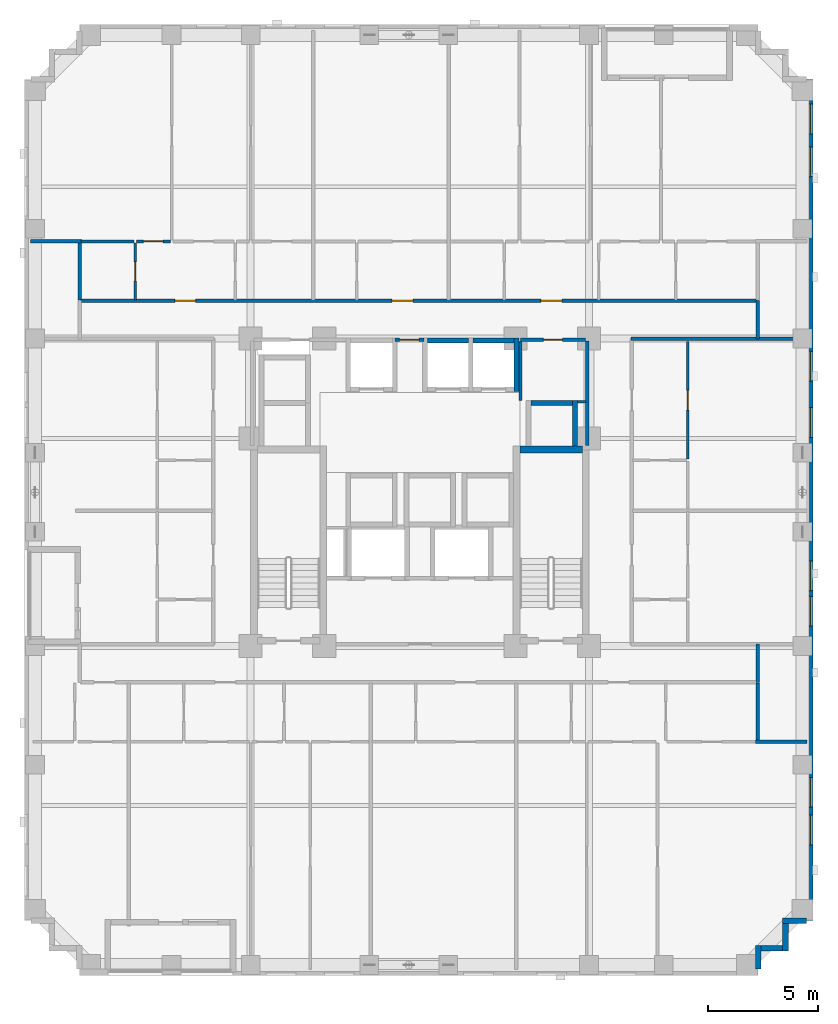
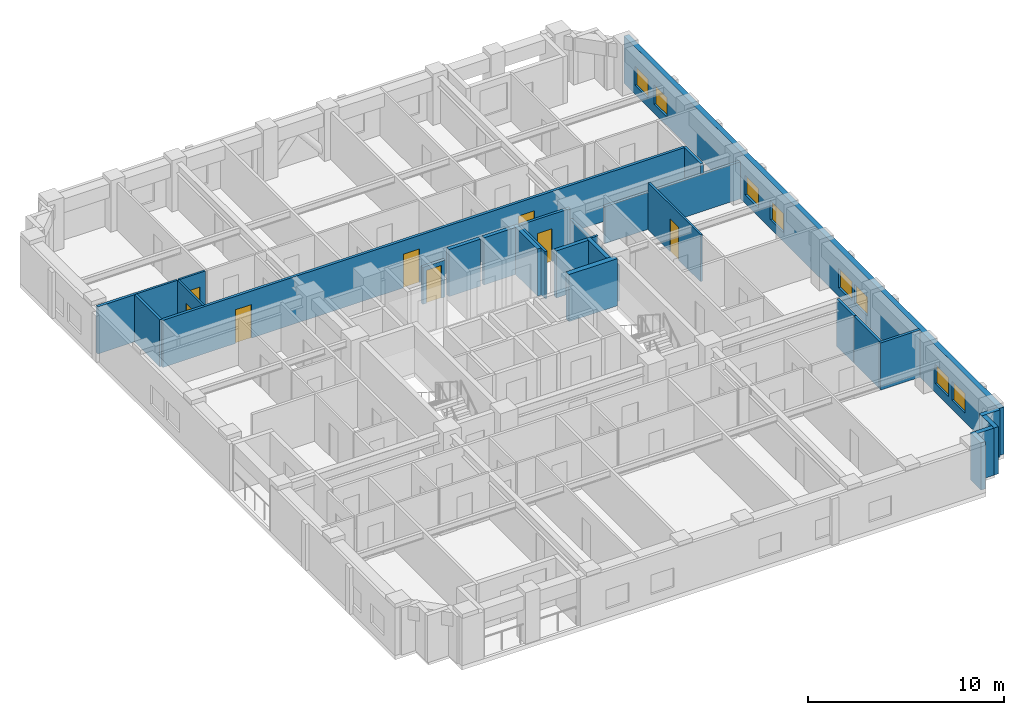
# One storey, part 6 of 12: 28 walls, 8 doors, 8 windows, 16 openings.
"""IFC4 building model written with IfcOpenShell, lengths in metres."""

from ifc_helpers import new_model, si_unit, derived_unit, direction, frame, frame_2d, origin, place, context, subcontext, project, spatial, rectangle, extrude, material, layer, layer_set, type_object, element, fill, save


model = new_model("IFC4")

# Units and contexts
model_context = context("Model", 3, precision=1e-05, world=origin(), true_north=direction((0.0, 1.0)))
body_context = subcontext(model_context, "Body", "Model", "MODEL_VIEW")
ifc_project = project(units=[si_unit("LENGTHUNIT", "METRE"), si_unit("AREAUNIT", "SQUARE_METRE"), si_unit("VOLUMEUNIT", "CUBIC_METRE"), si_unit("PLANEANGLEUNIT", "RADIAN"), si_unit("MASSUNIT", "GRAM", prefix="KILO"), derived_unit("THERMALTRANSMITTANCEUNIT", [(si_unit("MASSUNIT", "GRAM", prefix="KILO"), 1), (si_unit("TIMEUNIT", "SECOND"), -3), (si_unit("THERMODYNAMICTEMPERATUREUNIT", "KELVIN"), -1)])], contexts=[model_context])

# Site, building, storey
site_placement = place(None, origin())
site = spatial("IfcSite", under=ifc_project, at=site_placement, CompositionType="ELEMENT")
building_placement = place(site_placement, origin())
building = spatial("IfcBuilding", under=site, at=building_placement, Name="Korrvale Station Residences", CompositionType="ELEMENT")
storey_placement = place(building_placement, frame((0.0, 0.0, 87.89990234375)))
storey = spatial("IfcBuildingStorey", under=building, at=storey_placement, Name="L24", CompositionType="ELEMENT", Elevation=87.89990234375)

# Walls
ifc_material_1 = material(Name="Concrete C60/75", Category="concrete")
ifc_layer_1 = layer(ifc_material_1, 0.300048828125, Name="Concrete C60/75")
ifc_layer_set_1 = layer_set([ifc_layer_1], Name="Concrete C60/75")
wall_type_1 = type_object("IfcWallType", Name="WAL-CORE-300-C60", PredefinedType="SHEAR", material=ifc_layer_set_1)
wall_1_placement = place(storey_placement, frame((30.050048828125, 23.949951171875, 0.0), z_axis=(0.0, 0.0, 1.0), x_axis=(1.0, 0.0, 0.0)))
element("IfcWall", 1, at=wall_1_placement, inside=storey, type_object=wall_type_1, Name="L24 ST-2 Core Shear Wall North", PredefinedType="SHEAR", context=body_context, shape_type="SweptSolid", body=[
    extrude(rectangle(XDim=2.849853515625, YDim=0.300048828125, at=frame_2d((1.4248046875, 0.0))), origin(), (0.0, 0.0, 1.0), 2.940185546875),
])
ifc_material_2 = material(Name="Precast concrete C45/55", Category="concrete")
ifc_layer_2 = layer(ifc_material_2, 0.260009765625, Name="Precast concrete C45/55")
ifc_layer_set_2 = layer_set([ifc_layer_2], Name="Precast concrete C45/55")
wall_type_2 = type_object("IfcWallType", Name="WAL-EXT-LOG260", PredefinedType="SOLIDWALL", material=ifc_layer_set_2)
wall_2_placement = place(storey_placement, frame((43.097900390625, 2.5, 0.0), z_axis=(0.0, 0.0, 1.0), x_axis=(-1.0, 0.0, 0.0)))
element("IfcWall", 2, at=wall_2_placement, inside=storey, type_object=wall_type_2, Name="L24 Serrated Corner Precast Step SE-1", PredefinedType="SOLIDWALL", context=body_context, shape_type="SweptSolid", body=[
    extrude(rectangle(XDim=1.077880859375, YDim=0.260009765625, at=frame_2d((0.5390625, 0.0))), origin(), (0.0, 0.0, 1.0), 2.940185546875),
])
wall_3_placement = place(storey_placement, frame((42.14990234375, 2.367919921875, 0.0), z_axis=(0.0, 0.0, 1.0), x_axis=(0.0, -1.0, 0.0)))
element("IfcWall", 3, at=wall_3_placement, inside=storey, type_object=wall_type_2, Name="L24 Serrated Corner Precast Step SE-2", PredefinedType="SOLIDWALL", context=body_context, shape_type="SweptSolid", body=[
    extrude(rectangle(XDim=1.247802734375, YDim=0.260009765625, at=frame_2d((0.6240234375, 0.0))), origin(), (0.0, 0.0, 1.0), 2.940185546875),
])
wall_4_placement = place(storey_placement, frame((42.01806640625, 1.25, 0.0), z_axis=(0.0, 0.0, 1.0), x_axis=(-1.0, 0.0, 0.0)))
element("IfcWall", 4, at=wall_4_placement, inside=storey, type_object=wall_type_2, Name="L24 Serrated Corner Precast Step SE-3", PredefinedType="SOLIDWALL", context=body_context, shape_type="SweptSolid", body=[
    extrude(rectangle(XDim=0.986083984375, YDim=0.260009765625, at=frame_2d((0.4931640625, 0.0))), origin(), (0.0, 0.0, 1.0), 2.940185546875),
])
wall_5_placement = place(storey_placement, frame((40.89990234375, 1.3798828125, 0.0), z_axis=(0.0, 0.0, 1.0), x_axis=(0.0, -1.0, 0.0)))
element("IfcWall", 5, at=wall_5_placement, inside=storey, type_object=wall_type_2, Name="L24 Serrated Corner Precast Step SE-4", PredefinedType="SOLIDWALL", context=body_context, shape_type="SweptSolid", body=[
    extrude(rectangle(XDim=1.077880859375, YDim=0.260009765625, at=frame_2d((0.5390625, 0.0))), origin(), (0.0, 0.0, 1.0), 2.940185546875),
])

# Wall, openings, windows
ifc_layer_3 = layer(ifc_material_2, 0.300048828125, Name="Precast concrete C45/55")
ifc_layer_set_3 = layer_set([ifc_layer_3], Name="Precast concrete C45/55")
wall_type_3 = type_object("IfcWallType", Name="WAL-EXT-PC300", PredefinedType="SOLIDWALL", material=ifc_layer_set_3)
wall_6_placement = place(storey_placement, frame((43.25, 40.800048828125, 0.0), z_axis=(0.0, 0.0, 1.0), x_axis=(0.0, -1.0, 0.0)))
wall_6 = element("IfcWall", 6, at=wall_6_placement, inside=storey, type_object=wall_type_3, Name="L24 East Exterior Precast Wall 1", PredefinedType="SOLIDWALL", context=body_context, shape_type="SweptSolid", body=[
    extrude(rectangle(XDim=38.300048828125, YDim=0.300048828125, at=frame_2d((19.14990234375, 0.0))), origin(), (0.0, 0.0, 1.0), 2.940185546875),
])
opening_1_placement = place(wall_6_placement, frame((33.4951171875, 0.0, 0.550048828125)))
opening_1 = element("IfcOpeningElement", 7, at=opening_1_placement, cuts=wall_6, Name="Opening W-10", PredefinedType="OPENING", context=body_context, shape_type="SweptSolid", body=[
    extrude(rectangle(XDim=1.35009765625, YDim=1.199951171875, at=frame_2d((0.675048828125, 0.60009765625))), frame((0.0, 0.16015625, 0.0), z_axis=(0.0, -1.0, 0.0), x_axis=(1.0, 0.0, 0.0)), (0.0, 0.0, 1.0), 0.320068359375),
])
opening_2_placement = place(wall_6_placement, frame((31.784912109375, 0.0, 0.550048828125)))
opening_2 = element("IfcOpeningElement", 8, at=opening_2_placement, cuts=wall_6, Name="Opening W-10", PredefinedType="OPENING", context=body_context, shape_type="SweptSolid", body=[
    extrude(rectangle(XDim=1.35009765625, YDim=1.199951171875, at=frame_2d((0.675048828125, 0.60009765625))), frame((0.0, 0.16015625, 0.0), z_axis=(0.0, -1.0, 0.0), x_axis=(1.0, 0.0, 0.0)), (0.0, 0.0, 1.0), 0.320068359375),
])
opening_3_placement = place(wall_6_placement, frame((3.080078125, 0.0, 0.550048828125)))
opening_3 = element("IfcOpeningElement", 9, at=opening_3_placement, cuts=wall_6, Name="Opening W-10", PredefinedType="OPENING", context=body_context, shape_type="SweptSolid", body=[
    extrude(rectangle(XDim=1.35009765625, YDim=1.199951171875, at=frame_2d((0.675048828125, 0.60009765625))), frame((0.0, 0.16015625, 0.0), z_axis=(0.0, -1.0, 0.0), x_axis=(1.0, 0.0, 0.0)), (0.0, 0.0, 1.0), 0.320068359375),
])
opening_4_placement = place(wall_6_placement, frame((1.135009765625, 0.0, 0.550048828125)))
opening_4 = element("IfcOpeningElement", 10, at=opening_4_placement, cuts=wall_6, Name="Opening W-10", PredefinedType="OPENING", context=body_context, shape_type="SweptSolid", body=[
    extrude(rectangle(XDim=1.35009765625, YDim=1.199951171875, at=frame_2d((0.675048828125, 0.60009765625))), frame((0.0, 0.16015625, 0.0), z_axis=(0.0, -1.0, 0.0), x_axis=(1.0, 0.0, 0.0)), (0.0, 0.0, 1.0), 0.320068359375),
])
opening_5_placement = place(wall_6_placement, frame((21.929931640625, 0.0, 0.550048828125)))
opening_5 = element("IfcOpeningElement", 11, at=opening_5_placement, cuts=wall_6, Name="Opening W-10", PredefinedType="OPENING", context=body_context, shape_type="SweptSolid", body=[
    extrude(rectangle(XDim=1.35009765625, YDim=1.199951171875, at=frame_2d((0.675048828125, 0.60009765625))), frame((0.0, 0.16015625, 0.0), z_axis=(0.0, -1.0, 0.0), x_axis=(1.0, 0.0, 0.0)), (0.0, 0.0, 1.0), 0.320068359375),
])
opening_6_placement = place(wall_6_placement, frame((23.5400390625, 0.0, 0.550048828125)))
opening_6 = element("IfcOpeningElement", 12, at=opening_6_placement, cuts=wall_6, Name="Opening W-10", PredefinedType="OPENING", context=body_context, shape_type="SweptSolid", body=[
    extrude(rectangle(XDim=1.35009765625, YDim=1.199951171875, at=frame_2d((0.675048828125, 0.60009765625))), frame((0.0, 0.16015625, 0.0), z_axis=(0.0, -1.0, 0.0), x_axis=(1.0, 0.0, 0.0)), (0.0, 0.0, 1.0), 0.320068359375),
])
opening_7_placement = place(wall_6_placement, frame((14.949951171875, 0.0, 0.550048828125)))
opening_7 = element("IfcOpeningElement", 13, at=opening_7_placement, cuts=wall_6, Name="Opening W-10", PredefinedType="OPENING", context=body_context, shape_type="SweptSolid", body=[
    extrude(rectangle(XDim=1.35009765625, YDim=1.199951171875, at=frame_2d((0.675048828125, 0.60009765625))), frame((0.0, 0.16015625, 0.0), z_axis=(0.0, -1.0, 0.0), x_axis=(1.0, 0.0, 0.0)), (0.0, 0.0, 1.0), 0.320068359375),
])
opening_8_placement = place(wall_6_placement, frame((12.385009765625, 0.0, 0.550048828125)))
opening_8 = element("IfcOpeningElement", 14, at=opening_8_placement, cuts=wall_6, Name="Opening W-10", PredefinedType="OPENING", context=body_context, shape_type="SweptSolid", body=[
    extrude(rectangle(XDim=1.35009765625, YDim=1.199951171875, at=frame_2d((0.675048828125, 0.60009765625))), frame((0.0, 0.16015625, 0.0), z_axis=(0.0, -1.0, 0.0), x_axis=(1.0, 0.0, 0.0)), (0.0, 0.0, 1.0), 0.320068359375),
])
ifc_material_3 = material(Name="Thermally broken aluminium frame with triple low-e glazing", Category="aluminium")
window_type = type_object("IfcWindowType", Name="WIN-W10", PartitioningType="SINGLE_PANEL", PredefinedType="WINDOW", material=ifc_material_3)
window_1_placement = place(opening_1_placement, origin())
window_1 = element("IfcWindow", 15, at=window_1_placement, inside=storey, type_object=window_type, Name="L24 Punched Window 09", OverallHeight=1.199951171875, OverallWidth=1.35009765625, PartitioningType="SINGLE_PANEL", PredefinedType="WINDOW", context=body_context, shape_type="SweptSolid", body=[
    extrude(rectangle(XDim=1.35009765625, YDim=1.199951171875, at=frame_2d((0.675048828125, 0.60009765625))), frame((0.0, 0.030029296875, 0.0), z_axis=(0.0, -1.0, 0.0), x_axis=(1.0, 0.0, 0.0)), (0.0, 0.0, 1.0), 0.06005859375),
])
fill(opening_1, window_1)
window_2_placement = place(opening_2_placement, origin())
window_2 = element("IfcWindow", 16, at=window_2_placement, inside=storey, type_object=window_type, Name="L24 Punched Window 10", OverallHeight=1.199951171875, OverallWidth=1.35009765625, PartitioningType="SINGLE_PANEL", PredefinedType="WINDOW", context=body_context, shape_type="SweptSolid", body=[
    extrude(rectangle(XDim=1.35009765625, YDim=1.199951171875, at=frame_2d((0.675048828125, 0.60009765625))), frame((0.0, 0.030029296875, 0.0), z_axis=(0.0, -1.0, 0.0), x_axis=(1.0, 0.0, 0.0)), (0.0, 0.0, 1.0), 0.06005859375),
])
fill(opening_2, window_2)
window_3_placement = place(opening_3_placement, origin())
window_3 = element("IfcWindow", 17, at=window_3_placement, inside=storey, type_object=window_type, Name="L24 Punched Window 19", OverallHeight=1.199951171875, OverallWidth=1.35009765625, PartitioningType="SINGLE_PANEL", PredefinedType="WINDOW", context=body_context, shape_type="SweptSolid", body=[
    extrude(rectangle(XDim=1.35009765625, YDim=1.199951171875, at=frame_2d((0.675048828125, 0.60009765625))), frame((0.0, 0.030029296875, 0.0), z_axis=(0.0, -1.0, 0.0), x_axis=(1.0, 0.0, 0.0)), (0.0, 0.0, 1.0), 0.06005859375),
])
fill(opening_3, window_3)
window_4_placement = place(opening_4_placement, origin())
window_4 = element("IfcWindow", 18, at=window_4_placement, inside=storey, type_object=window_type, Name="L24 Punched Window 20", OverallHeight=1.199951171875, OverallWidth=1.35009765625, PartitioningType="SINGLE_PANEL", PredefinedType="WINDOW", context=body_context, shape_type="SweptSolid", body=[
    extrude(rectangle(XDim=1.35009765625, YDim=1.199951171875, at=frame_2d((0.675048828125, 0.60009765625))), frame((0.0, 0.030029296875, 0.0), z_axis=(0.0, -1.0, 0.0), x_axis=(1.0, 0.0, 0.0)), (0.0, 0.0, 1.0), 0.06005859375),
])
fill(opening_4, window_4)
window_5_placement = place(opening_5_placement, origin())
window_5 = element("IfcWindow", 19, at=window_5_placement, inside=storey, type_object=window_type, Name="L24 Punched Window 24", OverallHeight=1.199951171875, OverallWidth=1.35009765625, PartitioningType="SINGLE_PANEL", PredefinedType="WINDOW", context=body_context, shape_type="SweptSolid", body=[
    extrude(rectangle(XDim=1.35009765625, YDim=1.199951171875, at=frame_2d((0.675048828125, 0.60009765625))), frame((0.0, 0.030029296875, 0.0), z_axis=(0.0, -1.0, 0.0), x_axis=(1.0, 0.0, 0.0)), (0.0, 0.0, 1.0), 0.06005859375),
])
fill(opening_5, window_5)
window_6_placement = place(opening_6_placement, origin())
window_6 = element("IfcWindow", 20, at=window_6_placement, inside=storey, type_object=window_type, Name="L24 Punched Window 25", OverallHeight=1.199951171875, OverallWidth=1.35009765625, PartitioningType="SINGLE_PANEL", PredefinedType="WINDOW", context=body_context, shape_type="SweptSolid", body=[
    extrude(rectangle(XDim=1.35009765625, YDim=1.199951171875, at=frame_2d((0.675048828125, 0.60009765625))), frame((0.0, 0.030029296875, 0.0), z_axis=(0.0, -1.0, 0.0), x_axis=(1.0, 0.0, 0.0)), (0.0, 0.0, 1.0), 0.06005859375),
])
fill(opening_6, window_6)
window_7_placement = place(opening_7_placement, origin())
window_7 = element("IfcWindow", 21, at=window_7_placement, inside=storey, type_object=window_type, Name="L24 Punched Window 26", OverallHeight=1.199951171875, OverallWidth=1.35009765625, PartitioningType="SINGLE_PANEL", PredefinedType="WINDOW", context=body_context, shape_type="SweptSolid", body=[
    extrude(rectangle(XDim=1.35009765625, YDim=1.199951171875, at=frame_2d((0.675048828125, 0.60009765625))), frame((0.0, 0.030029296875, 0.0), z_axis=(0.0, -1.0, 0.0), x_axis=(1.0, 0.0, 0.0)), (0.0, 0.0, 1.0), 0.06005859375),
])
fill(opening_7, window_7)
window_8_placement = place(opening_8_placement, origin())
window_8 = element("IfcWindow", 22, at=window_8_placement, inside=storey, type_object=window_type, Name="L24 Punched Window 27", OverallHeight=1.199951171875, OverallWidth=1.35009765625, PartitioningType="SINGLE_PANEL", PredefinedType="WINDOW", context=body_context, shape_type="SweptSolid", body=[
    extrude(rectangle(XDim=1.35009765625, YDim=1.199951171875, at=frame_2d((0.675048828125, 0.60009765625))), frame((0.0, 0.030029296875, 0.0), z_axis=(0.0, -1.0, 0.0), x_axis=(1.0, 0.0, 0.0)), (0.0, 0.0, 1.0), 0.06005859375),
])
fill(opening_8, window_8)

# Walls
ifc_material_4 = material(Name="Acoustic steel-stud gypsum board partition", Category="steel")
ifc_layer_4 = layer(ifc_material_4, 0.1201171875, Name="Acoustic steel-stud gypsum board partition")
ifc_layer_set_4 = layer_set([ifc_layer_4], Name="Acoustic steel-stud gypsum board partition")
wall_type_4 = type_object("IfcWallType", Name="WAL-PART-125", PredefinedType="PARTITIONING", material=ifc_layer_set_4)
wall_7_placement = place(storey_placement, frame((30.080078125, 26.179931640625, 0.0), z_axis=(0.0, 0.0, 1.0), x_axis=(0.0, 1.0, 0.0)))
element("IfcWall", 23, at=wall_7_placement, inside=storey, type_object=wall_type_4, Name="L24 Core Partition CW-CS-W", PredefinedType="PARTITIONING", context=body_context, shape_type="SweptSolid", body=[
    extrude(rectangle(XDim=2.68017578125, YDim=0.1201171875, at=frame_2d((1.340087890625, 0.0))), origin(), (0.0, 0.0, 1.0), 2.940185546875),
])
wall_8_placement = place(storey_placement, frame((32.679931640625, 26.1201171875, 0.0), z_axis=(0.0, 0.0, 1.0), x_axis=(1.0, 0.0, 0.0)))
element("IfcWall", 24, at=wall_8_placement, inside=storey, type_object=wall_type_4, Name="L24 Core Partition CW-CS-S", PredefinedType="PARTITIONING", context=body_context, shape_type="SweptSolid", body=[
    extrude(rectangle(XDim=0.380126953125, YDim=0.1201171875, at=frame_2d((0.18994140625, 0.0))), origin(), (0.0, 0.0, 1.0), 2.940185546875),
])

# Wall, opening, door
wall_9_placement = place(storey_placement, frame((12.5400390625, 30.760009765625, 0.0), z_axis=(0.0, 0.0, 1.0), x_axis=(0.0, 1.0, 0.0)))
wall_9 = element("IfcWall", 25, at=wall_9_placement, inside=storey, type_object=wall_type_4, Name="L24 Suite Partition U05-V01", PredefinedType="PARTITIONING", context=body_context, shape_type="SweptSolid", body=[
    extrude(rectangle(XDim=2.60009765625, YDim=0.1201171875, at=frame_2d((1.300048828125, 0.0))), origin(), (0.0, 0.0, 1.0), 2.940185546875),
])
opening_9_placement = place(wall_9_placement, frame((0.8701171875, 0.0, 0.0)))
opening_9 = element("IfcOpeningElement", 26, at=opening_9_placement, cuts=wall_9, Name="Opening DB-860", PredefinedType="OPENING", context=body_context, shape_type="SweptSolid", body=[
    extrude(rectangle(XDim=0.860107421875, YDim=2.050048828125, at=frame_2d((0.43017578125, 1.02490234375))), frame((0.0, 0.070068359375, 0.0), z_axis=(0.0, -1.0, 0.0), x_axis=(1.0, 0.0, 0.0)), (0.0, 0.0, 1.0), 0.14013671875),
])
ifc_material_5 = material(Name="Moisture-resistant solid-core bathroom door", Category="timber")
door_type_1 = type_object("IfcDoorType", Name="DR-BATH-860", OperationType="NOTDEFINED", PredefinedType="DOOR", material=ifc_material_5)
door_1_placement = place(opening_9_placement, origin())
door_1 = element("IfcDoor", 27, at=door_1_placement, inside=storey, type_object=door_type_1, Name="L24 Apartment 2BR L24-U05 Bathroom Door", OperationType="SINGLE_SWING_LEFT", OverallHeight=2.050048828125, OverallWidth=0.860107421875, PredefinedType="DOOR", context=body_context, shape_type="SweptSolid", body=[
    extrude(rectangle(XDim=0.860107421875, YDim=2.050048828125, at=frame_2d((0.43017578125, 1.02490234375))), frame((0.0, 0.02490234375, 0.0), z_axis=(0.0, -1.0, 0.0), x_axis=(1.0, 0.0, 0.0)), (0.0, 0.0, 1.0), 0.050048828125),
])
fill(opening_9, door_1)

# Wall
wall_10_placement = place(storey_placement, frame((10.080078125, 33.419921875, 0.0), z_axis=(0.0, 0.0, 1.0), x_axis=(1.0, 0.0, 0.0)))
element("IfcWall", 28, at=wall_10_placement, inside=storey, type_object=wall_type_4, Name="L24 Suite Partition U05-H03", PredefinedType="PARTITIONING", context=body_context, shape_type="SweptSolid", body=[
    extrude(rectangle(XDim=2.39990234375, YDim=0.1201171875, at=frame_2d((1.199951171875, 0.0))), origin(), (0.0, 0.0, 1.0), 2.940185546875),
])

# Wall, opening, door
wall_11_placement = place(storey_placement, frame((12.60009765625, 33.419921875, 0.0), z_axis=(0.0, 0.0, 1.0), x_axis=(1.0, 0.0, 0.0)))
wall_11 = element("IfcWall", 29, at=wall_11_placement, inside=storey, type_object=wall_type_4, Name="L24 Suite Partition U05-H13", PredefinedType="PARTITIONING", context=body_context, shape_type="SweptSolid", body=[
    extrude(rectangle(XDim=1.539794921875, YDim=0.1201171875, at=frame_2d((0.77001953125, 0.0))), origin(), (0.0, 0.0, 1.0), 2.940185546875),
])
opening_10_placement = place(wall_11_placement, frame((0.320068359375, 0.0, 0.0)))
opening_10 = element("IfcOpeningElement", 30, at=opening_10_placement, cuts=wall_11, Name="Opening DI-900", PredefinedType="OPENING", context=body_context, shape_type="SweptSolid", body=[
    extrude(rectangle(XDim=0.89990234375, YDim=2.050048828125, at=frame_2d((0.449951171875, 1.02490234375))), frame((0.0, 0.070068359375, 0.0), z_axis=(0.0, -1.0, 0.0), x_axis=(1.0, 0.0, 0.0)), (0.0, 0.0, 1.0), 0.14013671875),
])
ifc_material_6 = material(Name="Painted solid-core timber interior room door", Category="wood")
door_type_2 = type_object("IfcDoorType", Name="DR-INT-900", OperationType="NOTDEFINED", PredefinedType="DOOR", material=ifc_material_6)
door_2_placement = place(opening_10_placement, origin())
door_2 = element("IfcDoor", 31, at=door_2_placement, inside=storey, type_object=door_type_2, Name="L24 Apartment 2BR L24-U05 Kitchen Door", OperationType="SINGLE_SWING_LEFT", OverallHeight=2.050048828125, OverallWidth=0.89990234375, PredefinedType="DOOR", context=body_context, shape_type="SweptSolid", body=[
    extrude(rectangle(XDim=0.89990234375, YDim=2.050048828125, at=frame_2d((0.449951171875, 1.02490234375))), frame((0.0, 0.02490234375, 0.0), z_axis=(0.0, -1.0, 0.0), x_axis=(1.0, 0.0, 0.0)), (0.0, 0.0, 1.0), 0.050048828125),
])
fill(opening_10, door_2)

wall_12_placement = place(storey_placement, frame((37.699951171875, 23.527099609375, 0.0), z_axis=(0.0, 0.0, 1.0), x_axis=(0.0, 1.0, 0.0)))
wall_12 = element("IfcWall", 32, at=wall_12_placement, inside=storey, type_object=wall_type_4, Name="L24 Suite Partition U11-V12", PredefinedType="PARTITIONING", context=body_context, shape_type="SweptSolid", body=[
    extrude(rectangle(XDim=5.3330078125, YDim=0.1201171875, at=frame_2d((2.66650390625, 0.0))), origin(), (0.0, 0.0, 1.0), 2.940185546875),
])
opening_11_placement = place(wall_12_placement, frame((2.216064453125, 0.0, 0.0)))
opening_11 = element("IfcOpeningElement", 33, at=opening_11_placement, cuts=wall_12, Name="Opening DI-900", PredefinedType="OPENING", context=body_context, shape_type="SweptSolid", body=[
    extrude(rectangle(XDim=0.89990234375, YDim=2.050048828125, at=frame_2d((0.449951171875, 1.02490234375))), frame((0.0, 0.070068359375, 0.0), z_axis=(0.0, -1.0, 0.0), x_axis=(1.0, 0.0, 0.0)), (0.0, 0.0, 1.0), 0.14013671875),
])
door_3_placement = place(opening_11_placement, origin())
door_3 = element("IfcDoor", 34, at=door_3_placement, inside=storey, type_object=door_type_2, Name="L24 Apartment 1BR L24-U11 Kitchen Door", OperationType="SINGLE_SWING_RIGHT", OverallHeight=2.050048828125, OverallWidth=0.89990234375, PredefinedType="DOOR", context=body_context, shape_type="SweptSolid", body=[
    extrude(rectangle(XDim=0.89990234375, YDim=2.050048828125, at=frame_2d((0.449951171875, 1.02490234375))), frame((0.0, 0.02490234375, 0.0), z_axis=(0.0, -1.0, 0.0), x_axis=(1.0, 0.0, 0.0)), (0.0, 0.0, 1.0), 0.050048828125),
])
fill(opening_11, door_3)

# Wall
ifc_material_7 = material(Name="Fire-rated twin-stud gypsum and mineral wool shaftwall assembly", Category="gypsum")
ifc_layer_5 = layer(ifc_material_7, 0.159912109375, Name="Fire-rated twin-stud gypsum and mineral wool shaftwall assembly")
ifc_layer_set_5 = layer_set([ifc_layer_5], Name="Fire-rated twin-stud gypsum and mineral wool shaftwall assembly")
wall_type_5 = type_object("IfcWallType", Name="WAL-PART-200", PredefinedType="PARTITIONING", material=ifc_layer_set_5)
wall_13_placement = place(storey_placement, frame((33.1201171875, 24.1201171875, 0.0), z_axis=(0.0, 0.0, 1.0), x_axis=(0.0, 1.0, 0.0)))
element("IfcWall", 35, at=wall_13_placement, inside=storey, type_object=wall_type_5, Name="L24 Core Partition CW-E-N", PredefinedType="PARTITIONING", context=body_context, shape_type="SweptSolid", body=[
    extrude(rectangle(XDim=4.759765625, YDim=0.159912109375, at=frame_2d((2.3798828125, 0.0))), origin(), (0.0, 0.0, 1.0), 2.275146484375),
])

# Wall, opening, door
wall_14_placement = place(storey_placement, frame((24.360107421875, 28.949951171875, 0.0), z_axis=(0.0, 0.0, 1.0), x_axis=(1.0, 0.0, 0.0)))
wall_14 = element("IfcWall", 36, at=wall_14_placement, inside=storey, type_object=wall_type_5, Name="L24 Core Partition CW-LLOB-N", PredefinedType="PARTITIONING", context=body_context, shape_type="SweptSolid", body=[
    extrude(rectangle(XDim=1.31982421875, YDim=0.159912109375, at=frame_2d((0.659912109375, 0.0))), origin(), (0.0, 0.0, 1.0), 2.30908203125),
])
opening_12_placement = place(wall_14_placement, frame((0.2099609375, 0.0, 0.0)))
opening_12 = element("IfcOpeningElement", 37, at=opening_12_placement, cuts=wall_14, Name="Opening DI-900", PredefinedType="OPENING", context=body_context, shape_type="SweptSolid", body=[
    extrude(rectangle(XDim=0.89990234375, YDim=2.050048828125, at=frame_2d((0.449951171875, 1.02490234375))), frame((0.0, 0.08984375, 0.0), z_axis=(0.0, -1.0, 0.0), x_axis=(1.0, 0.0, 0.0)), (0.0, 0.0, 1.0), 0.179931640625),
])
door_4_placement = place(opening_12_placement, origin())
door_4 = element("IfcDoor", 38, at=door_4_placement, inside=storey, type_object=door_type_2, Name="L24 Central Hallway North Passage Door", OperationType="SINGLE_SWING_LEFT", OverallHeight=2.050048828125, OverallWidth=0.89990234375, PredefinedType="DOOR", context=body_context, shape_type="SweptSolid", body=[
    extrude(rectangle(XDim=0.89990234375, YDim=2.050048828125, at=frame_2d((0.449951171875, 1.02490234375))), frame((0.0, 0.02490234375, 0.0), z_axis=(0.0, -1.0, 0.0), x_axis=(1.0, 0.0, 0.0)), (0.0, 0.0, 1.0), 0.050048828125),
])
fill(opening_12, door_4)

wall_15_placement = place(storey_placement, frame((30.080078125, 28.949951171875, 0.0), z_axis=(0.0, 0.0, 1.0), x_axis=(1.0, 0.0, 0.0)))
wall_15 = element("IfcWall", 39, at=wall_15_placement, inside=storey, type_object=wall_type_5, Name="L24 Core Partition CW-CS-N", PredefinedType="PARTITIONING", context=body_context, shape_type="SweptSolid", body=[
    extrude(rectangle(XDim=2.9599609375, YDim=0.159912109375, at=frame_2d((1.47998046875, 0.0))), origin(), (0.0, 0.0, 1.0), 2.940185546875),
])
opening_13_placement = place(wall_15_placement, frame((1.044921875, 0.0, 0.0)))
opening_13 = element("IfcOpeningElement", 40, at=opening_13_placement, cuts=wall_15, Name="Opening DB-860", PredefinedType="OPENING", context=body_context, shape_type="SweptSolid", body=[
    extrude(rectangle(XDim=0.860107421875, YDim=2.050048828125, at=frame_2d((0.43017578125, 1.02490234375))), frame((0.0, 0.08984375, 0.0), z_axis=(0.0, -1.0, 0.0), x_axis=(1.0, 0.0, 0.0)), (0.0, 0.0, 1.0), 0.179931640625),
])
door_5_placement = place(opening_13_placement, origin())
door_5 = element("IfcDoor", 41, at=door_5_placement, inside=storey, type_object=door_type_1, Name="L24 Parcel Room Door", OperationType="SINGLE_SWING_LEFT", OverallHeight=2.050048828125, OverallWidth=0.860107421875, PredefinedType="DOOR", context=body_context, shape_type="SweptSolid", body=[
    extrude(rectangle(XDim=0.860107421875, YDim=2.050048828125, at=frame_2d((0.43017578125, 1.02490234375))), frame((0.0, 0.02490234375, 0.0), z_axis=(0.0, -1.0, 0.0), x_axis=(1.0, 0.0, 0.0)), (0.0, 0.0, 1.0), 0.050048828125),
])
fill(opening_13, door_5)

# Walls
for number, where, z_axis, x_axis, name in (
    (42, (40.8798828125, 13.35009765625, 0.0), (0.0, 0.0, 1.0), (0.0, 1.0, 0.0), "L24 Corridor South East Cap"),
    (43, (40.8798828125, 28.97998046875, 0.0), (0.0, 0.0, 1.0), (0.0, 1.0, 0.0), "L24 Corridor North East Cap"),
):
    element("IfcWall", number, at=place(storey_placement, frame(where, z_axis=z_axis, x_axis=x_axis)), inside=storey, type_object=wall_type_5, Name=name, PredefinedType="PARTITIONING", context=body_context, shape_type="SweptSolid", body=[
        extrude(rectangle(XDim=1.739990234375, YDim=0.159912109375, at=frame_2d((0.8701171875, 0.0))), origin(), (0.0, 0.0, 1.0), 2.940185546875),
    ])
wall_16_placement = place(storey_placement, frame((35.110107421875, 28.97998046875, 0.0), z_axis=(0.0, 0.0, 1.0), x_axis=(1.0, 0.0, 0.0)))
element("IfcWall", 44, at=wall_16_placement, inside=storey, type_object=wall_type_5, Name="L24 East Wing North Corridor Wall", PredefinedType="PARTITIONING", context=body_context, shape_type="SweptSolid", body=[
    extrude(rectangle(XDim=8.010009765625, YDim=0.159912109375, at=frame_2d((4.0048828125, 0.0))), origin(), (0.0, 0.0, 1.0), 2.30908203125),
])
wall_17_placement = place(storey_placement, frame((40.780029296875, 10.64990234375, 0.0), z_axis=(0.0, 0.0, 1.0), x_axis=(1.0, 0.0, 0.0)))
element("IfcWall", 45, at=wall_17_placement, inside=storey, type_object=wall_type_5, Name="L24 Corner Step Wall U04-R", PredefinedType="PARTITIONING", context=body_context, shape_type="SweptSolid", body=[
    extrude(rectangle(XDim=2.340087890625, YDim=0.159912109375, at=frame_2d((1.169921875, 0.0))), origin(), (0.0, 0.0, 1.0), 2.940185546875),
])
wall_18_placement = place(storey_placement, frame((40.8798828125, 10.64990234375, 0.0), z_axis=(0.0, 0.0, 1.0), x_axis=(0.0, 1.0, 0.0)))
element("IfcWall", 46, at=wall_18_placement, inside=storey, type_object=wall_type_5, Name="L24 Corner Step Cheek U04-R", PredefinedType="PARTITIONING", context=body_context, shape_type="SweptSolid", body=[
    extrude(rectangle(XDim=2.66015625, YDim=0.159912109375, at=frame_2d((1.330078125, 0.0))), origin(), (0.0, 0.0, 1.0), 2.940185546875),
])
wall_19_placement = place(storey_placement, frame((7.780029296875, 33.419921875, 0.0), z_axis=(0.0, 0.0, 1.0), x_axis=(1.0, 0.0, 0.0)))
element("IfcWall", 47, at=wall_19_placement, inside=storey, type_object=wall_type_5, Name="L24 Corner Step Wall U05-L", PredefinedType="PARTITIONING", context=body_context, shape_type="SweptSolid", body=[
    extrude(rectangle(XDim=2.340087890625, YDim=0.159912109375, at=frame_2d((1.169921875, 0.0))), origin(), (0.0, 0.0, 1.0), 2.940185546875),
])
wall_20_placement = place(storey_placement, frame((10.02001953125, 30.760009765625, 0.0), z_axis=(0.0, 0.0, 1.0), x_axis=(0.0, 1.0, 0.0)))
element("IfcWall", 48, at=wall_20_placement, inside=storey, type_object=wall_type_5, Name="L24 Corner Step Cheek U05-L", PredefinedType="PARTITIONING", context=body_context, shape_type="SweptSolid", body=[
    extrude(rectangle(XDim=2.659912109375, YDim=0.159912109375, at=frame_2d((1.330078125, 0.0))), origin(), (0.0, 0.0, 1.0), 2.940185546875),
])

# Wall, openings, doors
wall_21_placement = place(storey_placement, frame((10.050048828125, 30.719970703125, 0.0), z_axis=(0.0, 0.0, 1.0), x_axis=(1.0, 0.0, 0.0)))
wall_21 = element("IfcWall", 49, at=wall_21_placement, inside=storey, type_object=wall_type_5, Name="L24 Rated Corridor Wall N", PredefinedType="PARTITIONING", context=body_context, shape_type="SweptSolid", body=[
    extrude(rectangle(XDim=30.800048828125, YDim=0.159912109375, at=frame_2d((15.39990234375, 0.0))), origin(), (0.0, 0.0, 1.0), 2.940185546875),
])
opening_14_placement = place(wall_21_placement, frame((4.294921875, 0.0, 0.0)))
opening_14 = element("IfcOpeningElement", 50, at=opening_14_placement, cuts=wall_21, Name="Opening UD-950", PredefinedType="OPENING", context=body_context, shape_type="SweptSolid", body=[
    extrude(rectangle(XDim=0.949951171875, YDim=2.10009765625, at=frame_2d((0.47509765625, 1.050048828125))), frame((0.0, 0.08984375, 0.0), z_axis=(0.0, -1.0, 0.0), x_axis=(1.0, 0.0, 0.0)), (0.0, 0.0, 1.0), 0.179931640625),
])
opening_15_placement = place(wall_21_placement, frame((14.178955078125, 0.0, 0.0)))
opening_15 = element("IfcOpeningElement", 51, at=opening_15_placement, cuts=wall_21, Name="Opening UD-950", PredefinedType="OPENING", context=body_context, shape_type="SweptSolid", body=[
    extrude(rectangle(XDim=0.949951171875, YDim=2.10009765625, at=frame_2d((0.47509765625, 1.050048828125))), frame((0.0, 0.08984375, 0.0), z_axis=(0.0, -1.0, 0.0), x_axis=(1.0, 0.0, 0.0)), (0.0, 0.0, 1.0), 0.179931640625),
])
opening_16_placement = place(wall_21_placement, frame((20.965087890625, 0.0, 0.0)))
opening_16 = element("IfcOpeningElement", 52, at=opening_16_placement, cuts=wall_21, Name="Opening UD-950", PredefinedType="OPENING", context=body_context, shape_type="SweptSolid", body=[
    extrude(rectangle(XDim=0.949951171875, YDim=2.10009765625, at=frame_2d((0.47509765625, 1.050048828125))), frame((0.0, 0.08984375, 0.0), z_axis=(0.0, -1.0, 0.0), x_axis=(1.0, 0.0, 0.0)), (0.0, 0.0, 1.0), 0.179931640625),
])
ifc_material_8 = material(Name="Solid-core acoustic oak apartment entrance door", Category="timber")
door_type_3 = type_object("IfcDoorType", Name="DR-UNIT-950", OperationType="NOTDEFINED", PredefinedType="DOOR", material=ifc_material_8)
door_6_placement = place(opening_14_placement, origin())
door_6 = element("IfcDoor", 53, at=door_6_placement, inside=storey, type_object=door_type_3, Name="L24 Apartment L24-U05 Entrance Door", OperationType="SINGLE_SWING_LEFT", OverallHeight=2.10009765625, OverallWidth=0.949951171875, PredefinedType="DOOR", context=body_context, shape_type="SweptSolid", body=[
    extrude(rectangle(XDim=0.949951171875, YDim=2.10009765625, at=frame_2d((0.47509765625, 1.050048828125))), frame((0.0, 0.02490234375, 0.0), z_axis=(0.0, -1.0, 0.0), x_axis=(1.0, 0.0, 0.0)), (0.0, 0.0, 1.0), 0.050048828125),
])
fill(opening_14, door_6)
door_7_placement = place(opening_15_placement, origin())
door_7 = element("IfcDoor", 54, at=door_7_placement, inside=storey, type_object=door_type_3, Name="L24 Apartment L24-U06 Entrance Door", OperationType="SINGLE_SWING_RIGHT", OverallHeight=2.10009765625, OverallWidth=0.949951171875, PredefinedType="DOOR", context=body_context, shape_type="SweptSolid", body=[
    extrude(rectangle(XDim=0.949951171875, YDim=2.10009765625, at=frame_2d((0.47509765625, 1.050048828125))), frame((0.0, 0.02490234375, 0.0), z_axis=(0.0, -1.0, 0.0), x_axis=(1.0, 0.0, 0.0)), (0.0, 0.0, 1.0), 0.050048828125),
])
fill(opening_15, door_7)
door_8_placement = place(opening_16_placement, origin())
door_8 = element("IfcDoor", 55, at=door_8_placement, inside=storey, type_object=door_type_3, Name="L24 Apartment L24-U07 Entrance Door", OperationType="SINGLE_SWING_LEFT", OverallHeight=2.10009765625, OverallWidth=0.949951171875, PredefinedType="DOOR", context=body_context, shape_type="SweptSolid", body=[
    extrude(rectangle(XDim=0.949951171875, YDim=2.10009765625, at=frame_2d((0.47509765625, 1.050048828125))), frame((0.0, 0.02490234375, 0.0), z_axis=(0.0, -1.0, 0.0), x_axis=(1.0, 0.0, 0.0)), (0.0, 0.0, 1.0), 0.050048828125),
])
fill(opening_16, door_8)

# Walls
ifc_layer_6 = layer(ifc_material_1, 0.219970703125, Name="Concrete C60/75")
ifc_layer_set_6 = layer_set([ifc_layer_6], Name="Concrete C60/75")
wall_type_6 = type_object("IfcWallType", Name="WAL-SHAFT-220-C60", PredefinedType="SHEAR", material=ifc_layer_set_6)
wall_22_placement = place(storey_placement, frame((25.85009765625, 28.909912109375, 0.0), z_axis=(0.0, 0.0, 1.0), x_axis=(1.0, 0.0, 0.0)))
element("IfcWall", 56, at=wall_22_placement, inside=storey, type_object=wall_type_6, Name="L24 Elevator PL-2 Hoistway Wall North", PredefinedType="SHEAR", context=body_context, shape_type="SweptSolid", body=[
    extrude(rectangle(XDim=1.85986328125, YDim=0.219970703125, at=frame_2d((0.929931640625, 0.0))), origin(), (0.0, 0.0, 1.0), 2.940185546875),
])
wall_23_placement = place(storey_placement, frame((27.929931640625, 28.909912109375, 0.0), z_axis=(0.0, 0.0, 1.0), x_axis=(1.0, 0.0, 0.0)))
element("IfcWall", 57, at=wall_23_placement, inside=storey, type_object=wall_type_6, Name="L24 Elevator PL-3 Hoistway Wall North", PredefinedType="SHEAR", context=body_context, shape_type="SweptSolid", body=[
    extrude(rectangle(XDim=1.860107421875, YDim=0.219970703125, at=frame_2d((0.93017578125, 0.0))), origin(), (0.0, 0.0, 1.0), 2.940185546875),
])
wall_24_placement = place(storey_placement, frame((29.89990234375, 26.580078125, 0.0), z_axis=(0.0, 0.0, 1.0), x_axis=(0.0, 1.0, 0.0)))
element("IfcWall", 58, at=wall_24_placement, inside=storey, type_object=wall_type_6, Name="L24 Elevator PL-3 Hoistway Wall East", PredefinedType="SHEAR", context=body_context, shape_type="SweptSolid", body=[
    extrude(rectangle(XDim=2.43994140625, YDim=0.219970703125, at=frame_2d((1.219970703125, 0.0))), origin(), (0.0, 0.0, 1.0), 2.940185546875),
])
wall_25_placement = place(storey_placement, frame((30.550048828125, 26.06005859375, 0.0), z_axis=(0.0, 0.0, 1.0), x_axis=(1.0, 0.0, 0.0)))
element("IfcWall", 59, at=wall_25_placement, inside=storey, type_object=wall_type_6, Name="L24 Elevator PH-3 Hoistway Wall North", PredefinedType="SHEAR", context=body_context, shape_type="SweptSolid", body=[
    extrude(rectangle(XDim=1.89990234375, YDim=0.219970703125, at=frame_2d((0.949951171875, 0.0))), origin(), (0.0, 0.0, 1.0), 2.940185546875),
])
wall_26_placement = place(storey_placement, frame((32.56005859375, 24.10009765625, 0.0), z_axis=(0.0, 0.0, 1.0), x_axis=(0.0, 1.0, 0.0)))
element("IfcWall", 60, at=wall_26_placement, inside=storey, type_object=wall_type_6, Name="L24 Elevator PH-3 Hoistway Wall East", PredefinedType="SHEAR", context=body_context, shape_type="SweptSolid", body=[
    extrude(rectangle(XDim=2.06982421875, YDim=0.219970703125, at=frame_2d((1.034912109375, 0.0))), origin(), (0.0, 0.0, 1.0), 2.940185546875),
])

save(model, "model.ifc")
